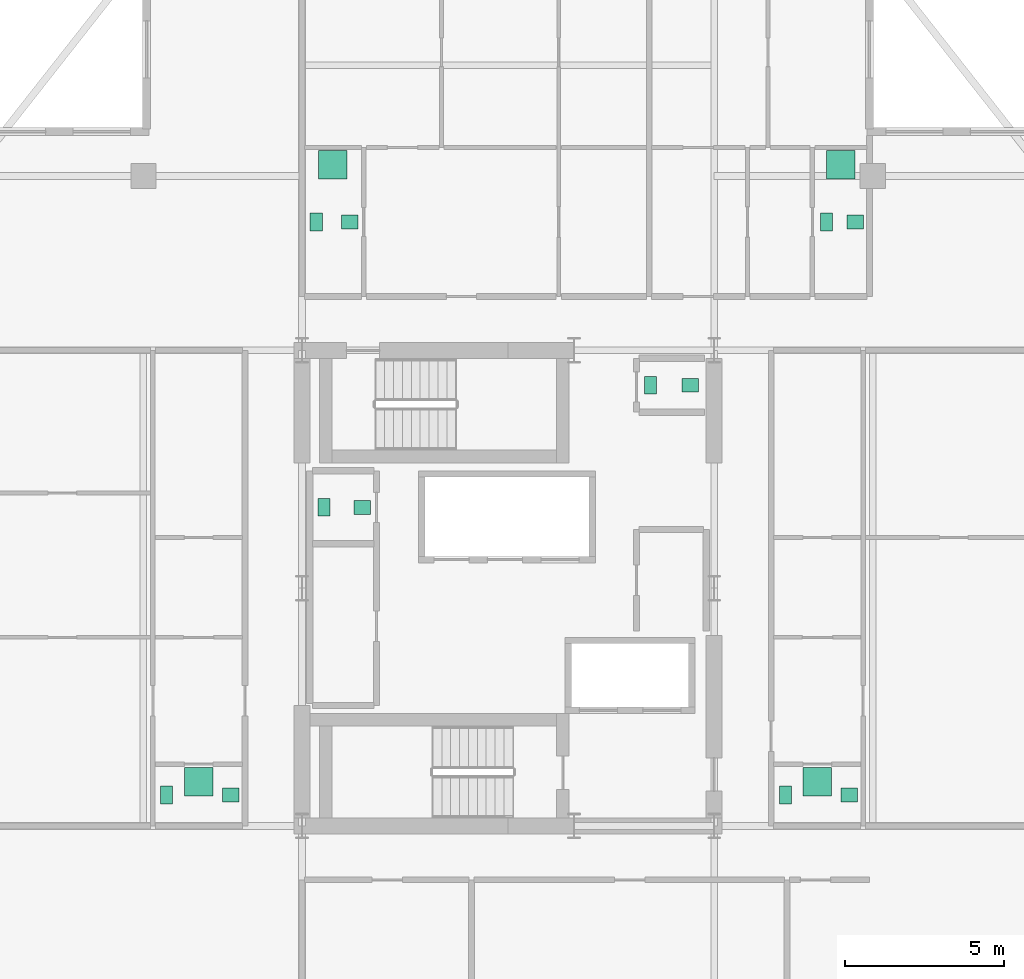
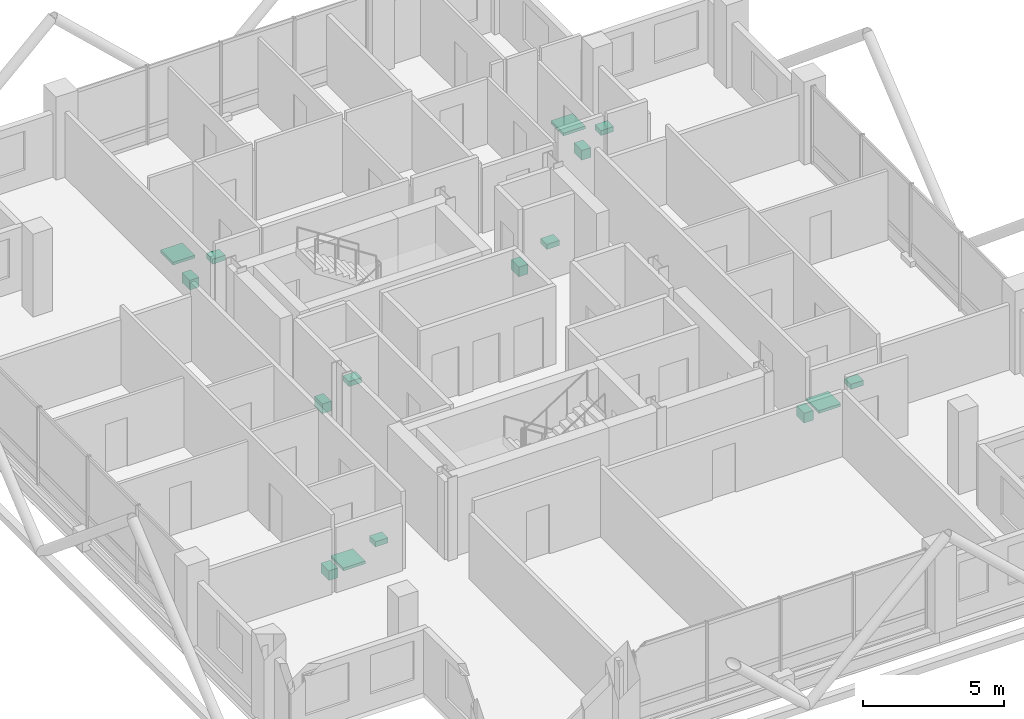
# One storey, part 24 of 24: 16 sanitary terminals.
"""IFC4 building model written with IfcOpenShell, lengths in metres."""

from ifc_helpers import new_model, si_unit, direction, frame, origin, origin_2d, place, context, subcontext, project, spatial, rectangle, extrude, material, type_object, element, save


model = new_model("IFC4")

# Units and contexts
model_context = context("Model", 3, precision=1e-05, world=origin(), true_north=direction((0.0, 1.0)))
body_context = subcontext(model_context, "Body", "Model", "MODEL_VIEW")
ifc_project = project(units=[si_unit("LENGTHUNIT", "METRE"), si_unit("AREAUNIT", "SQUARE_METRE"), si_unit("VOLUMEUNIT", "CUBIC_METRE"), si_unit("PLANEANGLEUNIT", "RADIAN"), si_unit("MASSUNIT", "GRAM", prefix="KILO")], contexts=[model_context])

# Site, building, storey
site_placement = place(None, origin())
site = spatial("IfcSite", under=ifc_project, at=site_placement, CompositionType="ELEMENT")
building_placement = place(site_placement, origin())
building = spatial("IfcBuilding", under=site, at=building_placement, Name="Barlavira Tower and Art Museum", CompositionType="ELEMENT")
storey_placement = place(building_placement, frame((0.0, 0.0, 251.10009765625)))
storey = spatial("IfcBuildingStorey", under=building, at=storey_placement, Name="L65", CompositionType="ELEMENT", Elevation=251.10009765625)

# Sanitary terminals
ifc_material = material(Name="Vitreous glazed ceramic", Category="ceramic")
sanitary_terminal_type_1 = type_object("IfcSanitaryTerminalType", Name="Countertop Ceramic Wash Hand Basin", PredefinedType="WASHHANDBASIN", material=ifc_material)
for number, where, z_axis, x_axis, name in (
    (1, (-4.60009765625, 2.550048828125, 0.73974609375), (0.0, 0.0, 1.0), (1.0, 0.0, 0.0), "L65-C-REC1W Wash Basin"),
    (2, (5.75, 6.39990234375, 0.73974609375), (0.0, 0.0, 1.0), (1.0, 0.0, 0.0), "L65-C-AWC4 Wash Basin"),
    (3, (-5.0, 11.550048828125, 0.73974609375), (0.0, 0.0, 1.0), (1.0, 0.0, 0.0), "L65-N1-BTH1 Wash Basin"),
    (4, (10.949951171875, 11.550048828125, 0.73974609375), (0.0, 0.0, 1.0), (1.0, 0.0, 0.0), "L65-N2-BTH1 Wash Basin"),
    (5, (-8.75, -6.52490234375, 0.73974609375), (0.0, 0.0, 1.0), (1.0, 0.0, 0.0), "L65-W1-BTH1 Wash Basin"),
    (6, (10.77001953125, -6.52490234375, 0.73974609375), (0.0, 0.0, 1.0), (1.0, 0.0, 0.0), "L65-E1-BTH1 Wash Basin"),
):
    element("IfcSanitaryTerminal", number, at=place(storey_placement, frame(where, z_axis=z_axis, x_axis=x_axis)), inside=storey, type_object=sanitary_terminal_type_1, Name=name, PredefinedType="WASHHANDBASIN", context=body_context, shape_type="SweptSolid", body=[
        extrude(rectangle(XDim=0.52001953125, YDim=0.43994140625, at=origin_2d()), origin(), (0.0, 0.0, 1.0), 0.219970703125),
    ])
sanitary_terminal_type_2 = type_object("IfcSanitaryTerminalType", Name="Walk-In Thermostatic Rain Shower Unit", PredefinedType="SHOWER", material=ifc_material)
for number, where, z_axis, x_axis, name in (
    (7, (-5.52490234375, 13.35009765625, -0.000244140625), (0.0, 0.0, 1.0), (1.0, 0.0, 0.0), "L65-N1-BTH1 Rain Shower"),
    (8, (10.5, 13.35009765625, -0.000244140625), (0.0, 0.0, 1.0), (1.0, 0.0, 0.0), "L65-N2-BTH1 Rain Shower"),
    (9, (-9.760009765625, -6.10009765625, -0.000244140625), (0.0, 0.0, 1.0), (1.0, 0.0, 0.0), "L65-W1-BTH1 Rain Shower"),
    (10, (9.760009765625, -6.10009765625, -0.000244140625), (0.0, 0.0, 1.0), (1.0, 0.0, 0.0), "L65-E1-BTH1 Rain Shower"),
):
    element("IfcSanitaryTerminal", number, at=place(storey_placement, frame(where, z_axis=z_axis, x_axis=x_axis)), inside=storey, type_object=sanitary_terminal_type_2, Name=name, PredefinedType="SHOWER", context=body_context, shape_type="SweptSolid", body=[
        extrude(rectangle(XDim=0.89990234375, YDim=0.89990234375, at=origin_2d()), origin(), (0.0, 0.0, 1.0), 0.1201171875),
    ])
sanitary_terminal_type_3 = type_object("IfcSanitaryTerminalType", Name="Wall-Hung Dual-Flush Vitreous WC Pan", PredefinedType="TOILETPAN", material=ifc_material)
for number, where, z_axis, x_axis, name in (
    (11, (-5.800048828125, 2.550048828125, 0.0), (0.0, 0.0, 1.0), (1.0, 0.0, 0.0), "L65-C-REC1W WC Pan"),
    (12, (4.5, 6.39990234375, 0.0), (0.0, 0.0, 1.0), (1.0, 0.0, 0.0), "L65-C-AWC4 WC Pan"),
    (13, (-6.050048828125, 11.550048828125, 0.0), (0.0, 0.0, 1.0), (1.0, 0.0, 0.0), "L65-N1-BTH1 WC Pan"),
    (14, (10.050048828125, 11.550048828125, 0.0), (0.0, 0.0, 1.0), (1.0, 0.0, 0.0), "L65-N2-BTH1 WC Pan"),
    (15, (-10.77001953125, -6.52490234375, 0.0), (0.0, 0.0, 1.0), (1.0, 0.0, 0.0), "L65-W1-BTH1 WC Pan"),
    (16, (8.75, -6.52490234375, 0.0), (0.0, 0.0, 1.0), (1.0, 0.0, 0.0), "L65-E1-BTH1 WC Pan"),
):
    element("IfcSanitaryTerminal", number, at=place(storey_placement, frame(where, z_axis=z_axis, x_axis=x_axis)), inside=storey, type_object=sanitary_terminal_type_3, Name=name, PredefinedType="TOILETPAN", context=body_context, shape_type="SweptSolid", body=[
        extrude(rectangle(XDim=0.3798828125, YDim=0.56005859375, at=origin_2d()), origin(), (0.0, 0.0, 1.0), 0.419921875),
    ])

save(model, "model.ifc")
